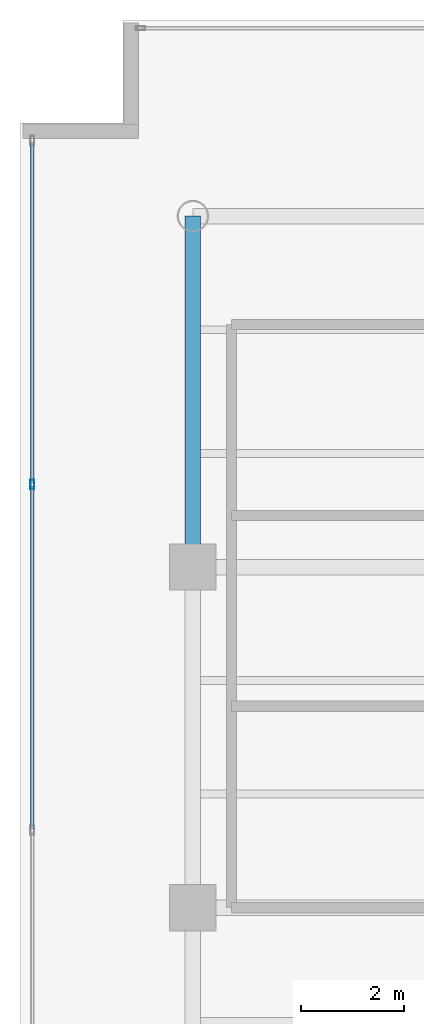
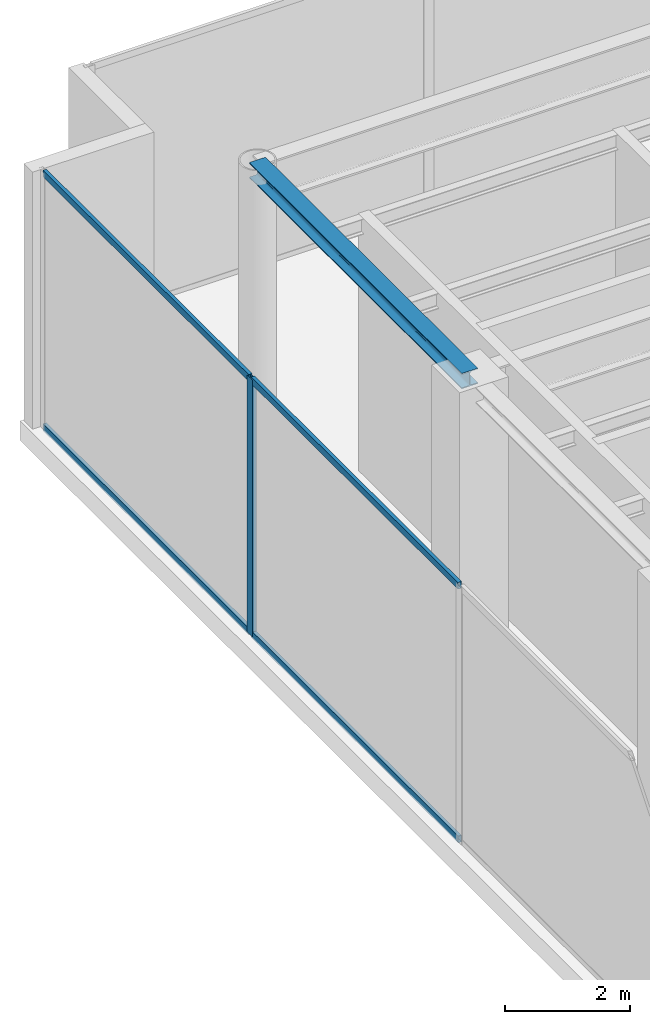
# One storey, part 20 of 29: 5 members, 1 beam, 1 element without a shape of its own.
"""IFC4 building model written with IfcOpenShell, lengths in metres."""

from ifc_helpers import new_model, si_unit, direction, frame, origin, origin_with_axes, origin_2d, place, context, subcontext, project, spatial, hollow_rectangle, i_section, extrude, source, transform, mapped, material, layer, layer_set, material_profile, profile_set, type_object, element, aggregate, save


model = new_model("IFC4")

# Units and contexts
model_context = context("Model", 3, precision=1e-05, world=origin(), true_north=direction((0.0, 1.0)))
body_context = subcontext(model_context, "Body", "Model", "MODEL_VIEW")
ifc_project = project(units=[si_unit("LENGTHUNIT", "METRE"), si_unit("AREAUNIT", "SQUARE_METRE"), si_unit("VOLUMEUNIT", "CUBIC_METRE"), si_unit("PLANEANGLEUNIT", "RADIAN"), si_unit("MASSUNIT", "GRAM", prefix="KILO")], contexts=[model_context])

# Site, building, storey
site_placement = place(None, origin())
site = spatial("IfcSite", under=ifc_project, at=site_placement, CompositionType="ELEMENT")
building_placement = place(site_placement, origin())
building = spatial("IfcBuilding", under=site, at=building_placement, Name="Kolvaren Waterfront Exchange", CompositionType="ELEMENT")
storey_placement = place(building_placement, frame((0.0, 0.0, 338.800048828125)))
storey = spatial("IfcBuildingStorey", under=building, at=storey_placement, Name="L87", CompositionType="ELEMENT", Elevation=338.800048828125)

# Beam
ifc_material_1 = material(Name="Steel S355", Category="steel")
ifc_material_profile_1 = material_profile(ifc_material_1, i_section(OverallWidth=0.300048828125, OverallDepth=0.300048828125, WebThickness=0.010986328125, FlangeThickness=0.01904296875, FilletRadius=0.027099609375, at=origin_2d()), Name="HEB300")
ifc_profile_set_1 = profile_set([ifc_material_profile_1], Name="Steel S355")
beam_type = type_object("IfcBeamType", Name="STR-BM-HEB300", PredefinedType="SPANDREL", material=ifc_profile_set_1)
beam_placement = place(storey_placement, frame((7.449951171875, 37.800048828125, 4.869873046875), z_axis=(0.0, 1.0, 0.0), x_axis=(-1.0, 0.0, 0.0)))
element("IfcBeam", 1, at=beam_placement, inside=storey, type_object=beam_type, Name="L87 north-arm edge beam 3", PredefinedType="SPANDREL", context=body_context, shape_type="SweptSolid", body=[
    extrude(i_section(OverallWidth=0.300048828125, OverallDepth=0.300048828125, WebThickness=0.010986328125, FlangeThickness=0.01904296875, FilletRadius=0.027099609375, at=origin_2d()), origin(), (0.0, 0.0, 1.0), 6.800048828125),
])

# Curtain wall, members
ifc_material_2 = material(Name="Anodised dark bronze spandrel aluminium", Category="aluminium")
ifc_layer = layer(ifc_material_2, 0.219970703125, Name="Anodised dark bronze spandrel aluminium")
ifc_layer_set = layer_set([ifc_layer], Name="Anodised dark bronze spandrel aluminium")
curtain_wall_type = type_object("IfcCurtainWallType", Name="ARC-CW-SYS6", PredefinedType="USERDEFINED", material=ifc_layer_set)
curtain_wall_placement = place(storey_placement, origin())
curtain_wall = element("IfcCurtainWall", 2, at=curtain_wall_placement, inside=storey, type_object=curtain_wall_type, Name="L87 stick curtain wall CW6 (CW-L87-W)", ObjectType="STICK CURTAIN WALL", PredefinedType="USERDEFINED")
ifc_material_3 = material(Name="Anodised bronze aluminium 6063-T6", Category="aluminium")
ifc_material_profile_2 = material_profile(ifc_material_3, hollow_rectangle(XDim=0.074951171875, YDim=0.179931640625, WallThickness=0.00439453125, at=origin_2d()), Name="ALU-MUL-180x75x4.5")
ifc_profile_set_2 = profile_set([ifc_material_profile_2], Name="Anodised bronze aluminium 6063-T6")
member_type_1 = type_object("IfcMemberType", Name="ARC-CWM-180", PredefinedType="MULLION", material=ifc_profile_set_2)
shared_shape_1 = source(origin_with_axes(), body_context, "Body", "SweptSolid", [
    extrude(hollow_rectangle(XDim=0.074951171875, YDim=0.179931640625, WallThickness=0.00439453125, at=origin_2d()), origin(), (0.0, 0.0, 1.0), 5.02001953125),
])
member_1_placement = place(storey_placement, frame((4.340087890625, 39.39990234375, 0.0), z_axis=(0.0, 0.0, 1.0), x_axis=(-1.0, 0.0, 0.0)))
member_1 = element("IfcMember", 3, at=member_1_placement, type_object=member_type_1, Name="CW6 mullion 6", PredefinedType="MULLION", context=body_context, shape_type="MappedRepresentation", body=[
    mapped(shared_shape_1, transform((0.0, 0.0, 0.0), x_axis=(1.0, 0.0, 0.0), y_axis=(0.0, 1.0, 0.0), z_axis=(0.0, 0.0, 1.0), scale=1.0)),
])
ifc_material_profile_3 = material_profile(ifc_material_3, hollow_rectangle(XDim=0.06494140625, YDim=0.1298828125, WallThickness=0.00390625, at=origin_2d()), Name="ALU-TRN-130x65x4")
ifc_profile_set_3 = profile_set([ifc_material_profile_3], Name="Anodised bronze aluminium 6063-T6")
member_type_2 = type_object("IfcMemberType", Name="ARC-CWT-130", PredefinedType="USERDEFINED", material=ifc_profile_set_3)
shared_shape_2 = source(origin_with_axes(), body_context, "Body", "SweptSolid", [
    extrude(hollow_rectangle(XDim=0.06494140625, YDim=0.1298828125, WallThickness=0.00390625, at=origin_2d()), origin(), (0.0, 0.0, 1.0), 6.58740234375),
])
member_2_placement = place(storey_placement, frame((4.340087890625, 39.4375, 0.032470703125), z_axis=(0.0, 1.0, 0.0), x_axis=(-1.0, 0.0, 0.0)))
member_2 = element("IfcMember", 4, at=member_2_placement, type_object=member_type_2, Name="CW6 transom 6.1", ObjectType="TRANSOM", PredefinedType="USERDEFINED", context=body_context, shape_type="MappedRepresentation", body=[
    mapped(shared_shape_2, transform((0.0, 0.0, 0.0), x_axis=(1.0, 0.0, 0.0), y_axis=(0.0, 1.0, 0.0), z_axis=(0.0, 0.0, 1.0), scale=1.0)),
])
member_3_placement = place(storey_placement, frame((4.340087890625, 39.4375, 4.987548828125), z_axis=(0.0, 1.0, 0.0), x_axis=(-1.0, 0.0, 0.0)))
member_3 = element("IfcMember", 5, at=member_3_placement, type_object=member_type_2, Name="CW6 transom 6.2", ObjectType="TRANSOM", PredefinedType="USERDEFINED", context=body_context, shape_type="MappedRepresentation", body=[
    mapped(shared_shape_2, transform((0.0, 0.0, 0.0), x_axis=(1.0, 0.0, 0.0), y_axis=(0.0, 1.0, 0.0), z_axis=(0.0, 0.0, 1.0), scale=1.0)),
])
shared_shape_3 = source(origin_with_axes(), body_context, "Body", "SweptSolid", [
    extrude(hollow_rectangle(XDim=0.06494140625, YDim=0.1298828125, WallThickness=0.00390625, at=origin_2d()), origin(), (0.0, 0.0, 1.0), 6.625),
])
member_4_placement = place(storey_placement, frame((4.340087890625, 32.737548828125, 0.032470703125), z_axis=(0.0, 1.0, 0.0), x_axis=(-1.0, 0.0, 0.0)))
member_4 = element("IfcMember", 6, at=member_4_placement, type_object=member_type_2, Name="CW6 transom 5.1", ObjectType="TRANSOM", PredefinedType="USERDEFINED", context=body_context, shape_type="MappedRepresentation", body=[
    mapped(shared_shape_3, transform((0.0, 0.0, 0.0), x_axis=(1.0, 0.0, 0.0), y_axis=(0.0, 1.0, 0.0), z_axis=(0.0, 0.0, 1.0), scale=1.0)),
])
member_5_placement = place(storey_placement, frame((4.340087890625, 32.737548828125, 4.987548828125), z_axis=(0.0, 1.0, 0.0), x_axis=(-1.0, 0.0, 0.0)))
member_5 = element("IfcMember", 7, at=member_5_placement, type_object=member_type_2, Name="CW6 transom 5.2", ObjectType="TRANSOM", PredefinedType="USERDEFINED", context=body_context, shape_type="MappedRepresentation", body=[
    mapped(shared_shape_3, transform((0.0, 0.0, 0.0), x_axis=(1.0, 0.0, 0.0), y_axis=(0.0, 1.0, 0.0), z_axis=(0.0, 0.0, 1.0), scale=1.0)),
])
aggregate(curtain_wall, [member_1, member_4, member_5, member_2, member_3])

save(model, "model.ifc")
